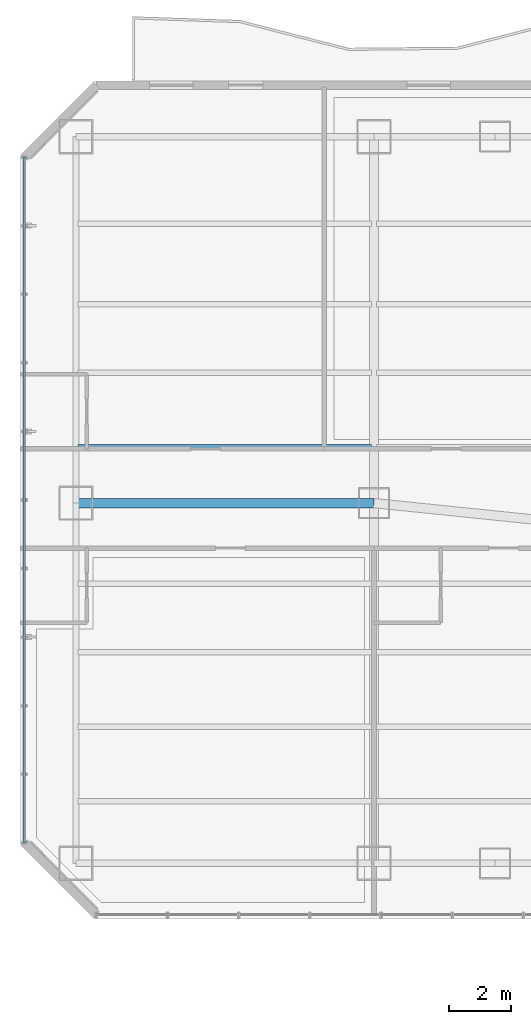
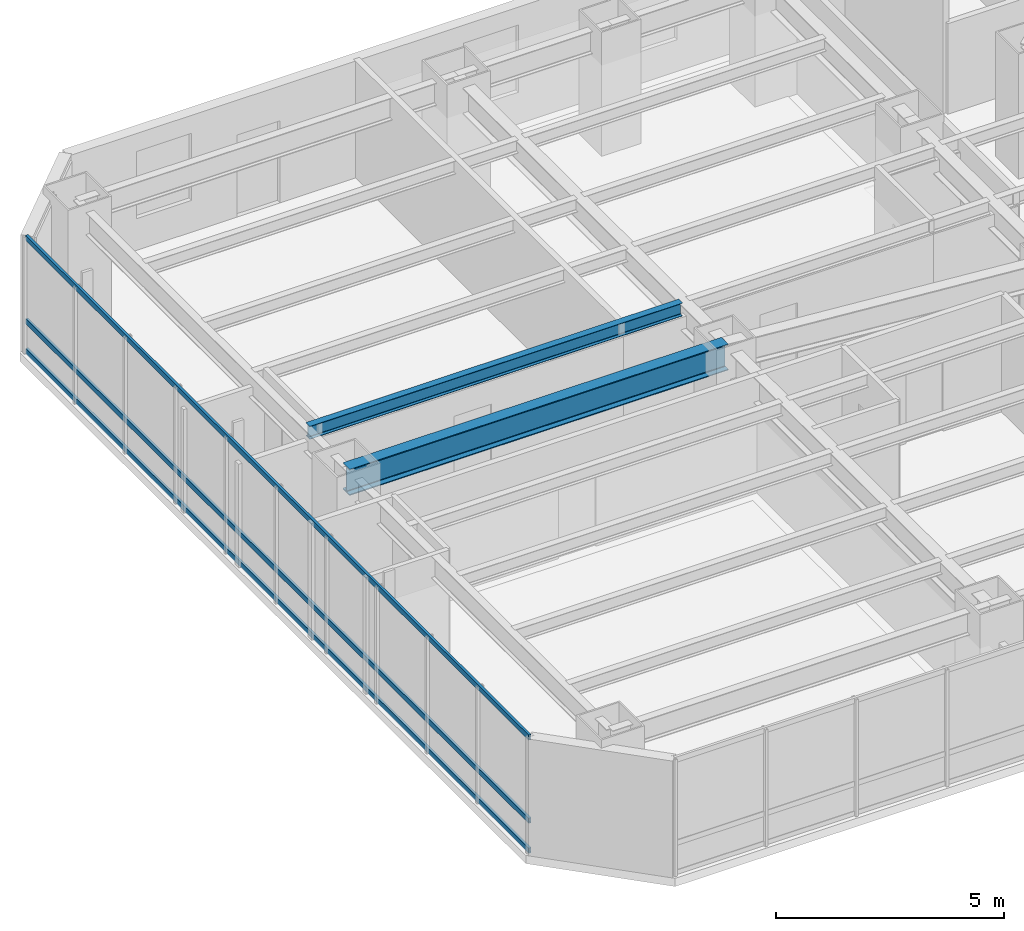
# One storey, part 13 of 37: 3 members, 2 beams, 1 element without a shape of its own.
"""IFC4 building model written with IfcOpenShell, lengths in metres."""

import ifcopenshell
import ifcopenshell.guid

model = None  # the IFC model being written
_history = None  # IfcOwnerHistory: only IFC2X3 demands one
_inside = {}  # id of a spatial element -> (the spatial element, [elements in it])
_under = {}  # id of a project, library or spatial element -> (it, [spatial elements below it])
_declared = {}  # id of a project -> (the project, [libraries it declares])
_typed = {}  # id of a type object -> (the type object, [elements of that type])
_made_of = {}  # id of a material, layer set ... -> (it, [elements and type objects made of it])


def new_model(schema):
    """Start an empty IFC model of exactly this schema.

    Asked for "IFC4X3", IfcOpenShell would pick the latest addendum, in which some entities
    have other attributes; the version numbers below select the first issue.
    IFC2X3 requires an IfcOwnerHistory on every rooted entity: one is made here for all.
    """
    global model, _history
    if schema == "IFC4X3":
        model = ifcopenshell.file(schema_version=(4, 3, 0, 0))
    else:
        model = ifcopenshell.file(schema=schema)
    _inside.clear()
    _under.clear()
    _declared.clear()
    _typed.clear()
    _made_of.clear()
    _history = None
    if model.schema == "IFC2X3":
        org = make("IfcOrganization", Name="unknown")
        user = make(
            "IfcPersonAndOrganization",
            ThePerson=make("IfcPerson", FamilyName="unknown"),
            TheOrganization=org,
        )
        app = make(
            "IfcApplication",
            ApplicationDeveloper=org,
            Version="unknown",
            ApplicationFullName="unknown",
            ApplicationIdentifier="unknown",
        )
        _history = make(
            "IfcOwnerHistory",
            OwningUser=user,
            OwningApplication=app,
            ChangeAction="ADDED",
            CreationDate=0,
        )
    return model


def make(cls, **values):
    """One entity of the class cls with the attributes given. An attribute that is None is left unset."""
    return model.create_entity(
        cls, **{name: value for name, value in values.items() if value is not None}
    )


def rooted(cls, **values):
    """An entity with a GlobalId (a new one), such as an element, a storey or a relation."""
    return make(cls, GlobalId=ifcopenshell.guid.new(), OwnerHistory=_history, **values)


def si_unit(unit_type, name, prefix=None):
    """IfcSIUnit, for example si_unit("LENGTHUNIT", "METRE", prefix="MILLI")."""
    return make("IfcSIUnit", UnitType=unit_type, Prefix=prefix, Name=name)


def assignment(units):
    """IfcUnitAssignment: the units of a project."""
    return None if units is None else make("IfcUnitAssignment", Units=units)


def point(xyz):
    """IfcCartesianPoint."""
    return None if xyz is None else make("IfcCartesianPoint", Coordinates=xyz)


def direction(xyz):
    """IfcDirection."""
    return None if xyz is None else make("IfcDirection", DirectionRatios=xyz)


def frame(location, z_axis=None, x_axis=None):
    """IfcAxis2Placement3D, a coordinate frame: its origin and axes. An axis left out is left unset."""
    return make(
        "IfcAxis2Placement3D",
        Location=point(location),
        Axis=direction(z_axis),
        RefDirection=direction(x_axis),
    )


def frame_2d(location, x_axis=None):
    """IfcAxis2Placement2D, a coordinate frame in the plane: its origin and x axis."""
    return make(
        "IfcAxis2Placement2D", Location=point(location), RefDirection=direction(x_axis)
    )


def origin():
    """The frame at (0, 0, 0) with its axes left unset."""
    return frame((0.0, 0.0, 0.0))


def origin_2d():
    """The frame at (0, 0) in the plane with its x axis left unset."""
    return frame_2d((0.0, 0.0))


def place(relative_to, where):
    """IfcLocalPlacement: puts the frame where relative to a parent placement (None: the world)."""
    return make(
        "IfcLocalPlacement", PlacementRelTo=relative_to, RelativePlacement=where
    )


def context(
    kind, dimensions, precision=None, world=None, true_north=None, identifier=None
):
    """IfcGeometricRepresentationContext, for example the 3D "Model" context."""
    return make(
        "IfcGeometricRepresentationContext",
        ContextIdentifier=identifier,
        ContextType=kind,
        CoordinateSpaceDimension=dimensions,
        Precision=precision,
        WorldCoordinateSystem=world,
        TrueNorth=true_north,
    )


def subcontext(parent, identifier, kind, view, scale=None):
    """IfcGeometricRepresentationSubContext, for example "Body" below "Model"."""
    return make(
        "IfcGeometricRepresentationSubContext",
        ContextIdentifier=identifier,
        ContextType=kind,
        ParentContext=parent,
        TargetScale=scale,
        TargetView=view,
    )


def project(units=None, contexts=None):
    """IfcProject with its units and contexts."""
    return rooted(
        "IfcProject",
        Name="project",
        RepresentationContexts=contexts,
        UnitsInContext=assignment(units),
    )


def spatial(cls, under=None, at=None, **own):
    """A site, building, storey or space (cls), placed at a placement, below another one or the project."""
    s = rooted(cls, ObjectPlacement=at, **own)
    if under is not None:
        _under.setdefault(under.id(), (under, []))[1].append(s)
    return s


def profile(cls, at=None, kind="AREA", **sizes):
    """A parametric profile (cls). Its sizes go by their IFC names, for example OverallWidth=200.0."""
    return make(cls, ProfileType=kind, Position=at, **sizes)


def hollow_rectangle(**sizes):
    """IfcRectangleHollowProfileDef."""
    return profile("IfcRectangleHollowProfileDef", **sizes)


def i_section(**sizes):
    """IfcIShapeProfileDef."""
    return profile("IfcIShapeProfileDef", **sizes)


def extrude(swept, where, along, depth):
    """IfcExtrudedAreaSolid: the profile swept, set in the frame where, extruded along a direction by depth."""
    return make(
        "IfcExtrudedAreaSolid",
        SweptArea=swept,
        Position=where,
        ExtrudedDirection=direction(along),
        Depth=depth,
    )


def shape(context_of_items, identifier, shape_type, items):
    """IfcShapeRepresentation: the items that make up one representation, for example the "Body"."""
    return make(
        "IfcShapeRepresentation",
        ContextOfItems=context_of_items,
        RepresentationIdentifier=identifier,
        RepresentationType=shape_type,
        Items=items,
    )


def material(Name=None, Category=None):
    """IfcMaterial."""
    return make("IfcMaterial", Name=Name, Category=Category)


def layer(
    of_material, thickness, ventilated=None, Name=None, Category=None, Priority=None
):
    """IfcMaterialLayer: one layer of a wall or slab, of a material (None: an air gap)."""
    return make(
        "IfcMaterialLayer",
        Material=of_material,
        LayerThickness=thickness,
        IsVentilated=ventilated,
        Name=Name,
        Category=Category,
        Priority=Priority,
    )


def layer_set(layers, Name=None):
    """IfcMaterialLayerSet."""
    return make("IfcMaterialLayerSet", MaterialLayers=layers, LayerSetName=Name)


def material_profile(
    of_material, cross_section, Name=None, Category=None, Priority=None
):
    """IfcMaterialProfile: a cross section and its material."""
    return make(
        "IfcMaterialProfile",
        Name=Name,
        Material=of_material,
        Profile=cross_section,
        Priority=Priority,
        Category=Category,
    )


def profile_set(profiles, Name=None, composite=None):
    """IfcMaterialProfileSet."""
    return make(
        "IfcMaterialProfileSet",
        Name=Name,
        MaterialProfiles=profiles,
        CompositeProfile=composite,
    )


def made_of(thing, what):
    """Note that an element or type object is made of a material, layer set ...; save() writes the relation."""
    if what is not None:
        _made_of.setdefault(what.id(), (what, []))[1].append(thing)
    return thing


def type_object(cls, material=None, **own):
    """A type object (cls), such as IfcWallType, which elements share."""
    return made_of(rooted(cls, **own), material)


def element(
    cls,
    number,
    at=None,
    inside=None,
    cuts=None,
    type_object=None,
    material=None,
    context=None,
    identifier="Body",
    shape_type=None,
    held_by="IfcProductDefinitionShape",
    body=None,
    shapes=None,
    **own,
):
    """One element of the class cls, such as IfcWall. Its Tag is "e" and its number.

    at: its placement. inside: the storey or other place that contains it. cuts: it is an
    opening in that element (IfcRelVoidsElement). A single representation is given by context,
    identifier, shape_type and body (its items); several are given by shapes. held_by: the class
    of the entity that holds the representations. save() writes the other relations.
    """
    e = rooted(cls, Tag="e%d" % number, ObjectPlacement=at, **own)
    if body is not None:
        shapes = [shape(context, identifier, shape_type, body)]
    if shapes is not None:
        e.Representation = make(held_by, Representations=shapes)
    if inside is not None:
        _inside.setdefault(inside.id(), (inside, []))[1].append(e)
    if cuts is not None:
        rooted(
            "IfcRelVoidsElement", RelatingBuildingElement=cuts, RelatedOpeningElement=e
        )
    if type_object is not None:
        _typed.setdefault(type_object.id(), (type_object, []))[1].append(e)
    return made_of(e, material)


def aggregate(whole, parts):
    """IfcRelAggregates: a whole, such as a stair, and the parts it consists of."""
    return rooted("IfcRelAggregates", RelatingObject=whole, RelatedObjects=parts)


def save(model, path):
    """Write the relations noted so far, then the file.

    IfcRelAggregates (storeys below a building ...), IfcRelContainedInSpatialStructure (elements
    in a storey), IfcRelDefinesByType, IfcRelAssociatesMaterial and IfcRelDeclares: one each for
    every whole, place, type object, material and project.
    """
    for whole, parts in _under.values():
        aggregate(whole, parts)
    for where, things in _inside.values():
        rooted(
            "IfcRelContainedInSpatialStructure",
            RelatedElements=things,
            RelatingStructure=where,
        )
    for kind, things in _typed.values():
        rooted("IfcRelDefinesByType", RelatedObjects=things, RelatingType=kind)
    for what, things in _made_of.values():
        rooted("IfcRelAssociatesMaterial", RelatedObjects=things, RelatingMaterial=what)
    for by, libraries in _declared.values():
        rooted("IfcRelDeclares", RelatingContext=by, RelatedDefinitions=libraries)
    model.write(path)


model = new_model("IFC4")

# Units and contexts
model_context = context("Model", 3, precision=1e-05, world=origin(), true_north=direction((0.0, 1.0)))
body_context = subcontext(model_context, "Body", "Model", "MODEL_VIEW")
ifc_project = project(units=[si_unit("LENGTHUNIT", "METRE"), si_unit("AREAUNIT", "SQUARE_METRE"), si_unit("VOLUMEUNIT", "CUBIC_METRE"), si_unit("PLANEANGLEUNIT", "RADIAN"), si_unit("MASSUNIT", "GRAM", prefix="KILO")], contexts=[model_context])

# Site, building, storey
site_placement = place(None, origin())
site = spatial("IfcSite", under=ifc_project, at=site_placement, CompositionType="ELEMENT")
building_placement = place(site_placement, origin())
building = spatial("IfcBuilding", under=site, at=building_placement, Name="Hatsunagi Terrace Concourse", CompositionType="ELEMENT")
storey_placement = place(building_placement, frame((0.0, 0.0, 39.949951171875)))
storey = spatial("IfcBuildingStorey", under=building, at=storey_placement, Name="L09", CompositionType="ELEMENT", Elevation=39.949951171875)

# Curtain wall, members
ifc_material_1 = material(Name="Anodised Aluminium Alloy 6063-T5", Category="aluminium")
ifc_layer = layer(ifc_material_1, 0.199951171875)
ifc_layer_set = layer_set([ifc_layer], Name="HotelFacade_CW02")
curtain_wall_type = type_object("IfcCurtainWallType", Name="HotelFacade_CW02", PredefinedType="NOTDEFINED", material=ifc_layer_set)
curtain_wall_placement = place(storey_placement, origin())
curtain_wall = element("IfcCurtainWall", 1, at=curtain_wall_placement, inside=storey, type_object=curtain_wall_type, Name="Unitised Curtain Wall CW-02 CW-L09-09", PredefinedType="NOTDEFINED")
ifc_material_2 = material(Name="Anodised Aluminium Alloy 6063-T5", Category="aluminium")
ifc_material_profile_1 = material_profile(ifc_material_2, hollow_rectangle(XDim=0.06494140625, YDim=0.139892578125, WallThickness=0.00390625, at=origin_2d()), Name="ALU-TRN-140x65x4")
ifc_profile_set_1 = profile_set([ifc_material_profile_1], Name="Anodised Aluminium Alloy 6063-T5")
member_type = type_object("IfcMemberType", Name="CurtainWallTransom_140x65", PredefinedType="USERDEFINED", material=ifc_profile_set_1)
member_1_placement = place(storey_placement, frame((0.139892578125, 25.85791015625, 0.050048828125), z_axis=(0.0, 1.0, 0.0), x_axis=(-1.0, 0.0, 0.0)))
member_1 = element("IfcMember", 2, at=member_1_placement, type_object=member_type, Name="Curtain Wall Transom TRN-02", ObjectType="TRANSOM", PredefinedType="USERDEFINED", context=body_context, shape_type="SweptSolid", body=[
    extrude(hollow_rectangle(XDim=0.06494140625, YDim=0.139892578125, WallThickness=0.00390625, at=origin_2d()), origin(), (0.0, 0.0, 1.0), 22.083984375),
])
member_2_placement = place(storey_placement, frame((0.139892578125, 25.85791015625, 0.85009765625), z_axis=(0.0, 1.0, 0.0), x_axis=(-1.0, 0.0, 0.0)))
member_2 = element("IfcMember", 3, at=member_2_placement, type_object=member_type, Name="Curtain Wall Transom TRN-02", ObjectType="TRANSOM", PredefinedType="USERDEFINED", context=body_context, shape_type="SweptSolid", body=[
    extrude(hollow_rectangle(XDim=0.06494140625, YDim=0.139892578125, WallThickness=0.00390625, at=origin_2d()), origin(), (0.0, 0.0, 1.0), 22.083984375),
])
member_3_placement = place(storey_placement, frame((0.139892578125, 25.85791015625, 3.080078125), z_axis=(0.0, 1.0, 0.0), x_axis=(-1.0, 0.0, 0.0)))
member_3 = element("IfcMember", 4, at=member_3_placement, type_object=member_type, Name="Curtain Wall Transom TRN-02", ObjectType="TRANSOM", PredefinedType="USERDEFINED", context=body_context, shape_type="SweptSolid", body=[
    extrude(hollow_rectangle(XDim=0.06494140625, YDim=0.139892578125, WallThickness=0.00390625, at=origin_2d()), origin(), (0.0, 0.0, 1.0), 22.083984375),
])
aggregate(curtain_wall, [member_1, member_2, member_3])

# Beams
ifc_material_3 = material(Name="Steel SN490B", Category="steel")
ifc_material_profile_2 = material_profile(ifc_material_3, i_section(OverallWidth=0.300048828125, OverallDepth=0.699951171875, WebThickness=0.012939453125, FlangeThickness=0.02392578125, FilletRadius=0.02197265625, at=origin_2d()), Name="H-700x300x13x24")
ifc_profile_set_2 = profile_set([ifc_material_profile_2], Name="Steel SN490B")
beam_type_1 = type_object("IfcBeamType", Name="HotelFloorGirder_H_700x300", PredefinedType="BEAM", material=ifc_profile_set_2)
beam_1_placement = place(storey_placement, frame((1.800048828125, 36.800048828125, 2.780029296875), z_axis=(1.0, 0.0, 0.0), x_axis=(0.0, 1.0, 0.0)))
element("IfcBeam", 5, at=beam_1_placement, inside=storey, type_object=beam_type_1, Name="Beam G-04 BM-L09-EW-1", PredefinedType="BEAM", context=body_context, shape_type="SweptSolid", body=[
    extrude(i_section(OverallWidth=0.300048828125, OverallDepth=0.699951171875, WebThickness=0.012939453125, FlangeThickness=0.02392578125, FilletRadius=0.02197265625, at=origin_2d()), origin(), (0.0, 0.0, 1.0), 9.599853515625),
])
ifc_material_4 = material(Name="Steel SN490B", Category="steel")
ifc_material_profile_3 = material_profile(ifc_material_4, i_section(OverallWidth=0.175048828125, OverallDepth=0.35009765625, WebThickness=0.007080078125, FlangeThickness=0.010986328125, FilletRadius=0.012939453125, at=origin_2d()), Name="H-350x175x7x11")
ifc_profile_set_3 = profile_set([ifc_material_profile_3], Name="Steel SN490B")
beam_type_2 = type_object("IfcBeamType", Name="HotelJoist_H_350x175", PredefinedType="JOIST", material=ifc_profile_set_3)
beam_2_placement = place(storey_placement, frame((1.864990234375, 38.60009765625, 2.955078125), z_axis=(1.0, 0.0, 0.0), x_axis=(0.0, 1.0, 0.0)))
element("IfcBeam", 6, at=beam_2_placement, inside=storey, type_object=beam_type_2, Name="Beam J-02 J-L09-W-1-386", PredefinedType="JOIST", context=body_context, shape_type="SweptSolid", body=[
    extrude(i_section(OverallWidth=0.175048828125, OverallDepth=0.35009765625, WebThickness=0.007080078125, FlangeThickness=0.010986328125, FilletRadius=0.012939453125, at=origin_2d()), origin(), (0.0, 0.0, 1.0), 9.449951171875),
])

save(model, "model.ifc")
